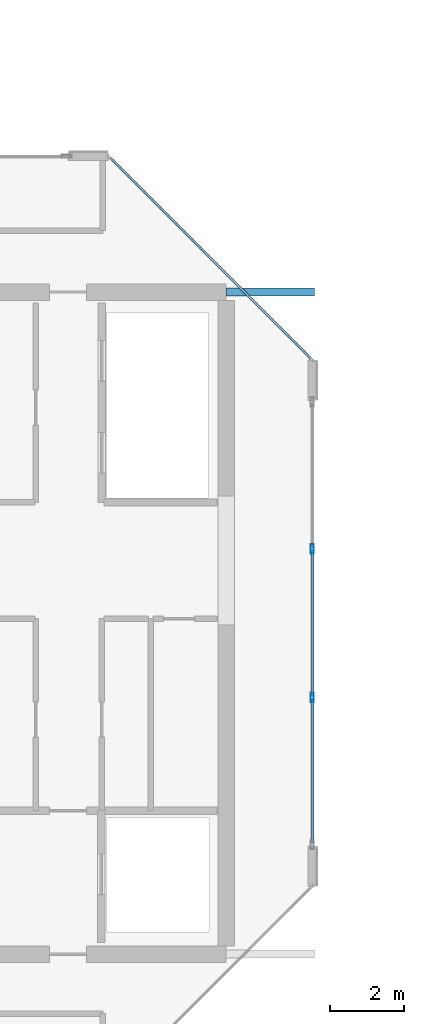
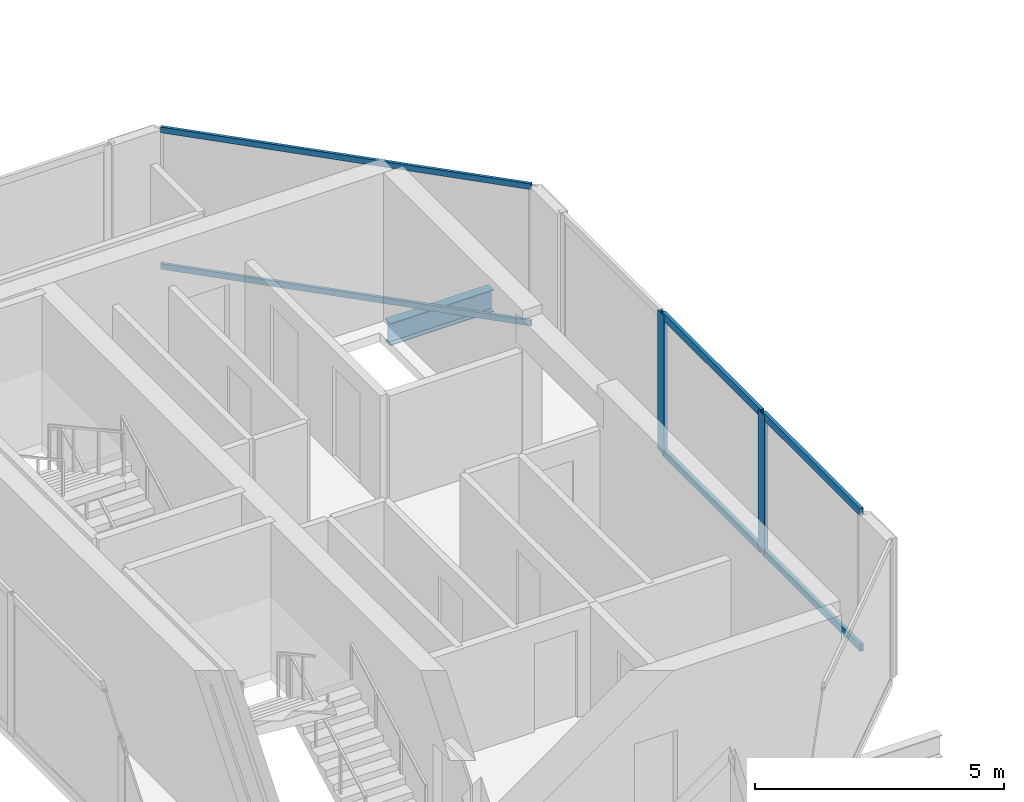
# One storey, part 6 of 30: 8 members, 1 beam, 2 elements without a shape of their own.
"""IFC4 building model written with IfcOpenShell, lengths in metres."""

from ifc_helpers import new_model, si_unit, direction, frame, origin, origin_2d, place, context, subcontext, project, spatial, hollow_rectangle, i_section, extrude, material, layer, layer_set, material_profile, profile_set, type_object, element, aggregate, save


model = new_model("IFC4")

# Units and contexts
model_context = context("Model", 3, precision=1e-05, world=origin(), true_north=direction((0.0, 1.0)))
body_context = subcontext(model_context, "Body", "Model", "MODEL_VIEW")
ifc_project = project(units=[si_unit("LENGTHUNIT", "METRE"), si_unit("AREAUNIT", "SQUARE_METRE"), si_unit("VOLUMEUNIT", "CUBIC_METRE"), si_unit("PLANEANGLEUNIT", "RADIAN"), si_unit("MASSUNIT", "GRAM", prefix="KILO")], contexts=[model_context])

# Site, building, storey
site_placement = place(None, origin())
site = spatial("IfcSite", under=ifc_project, at=site_placement, CompositionType="ELEMENT")
building_placement = place(site_placement, origin())
building = spatial("IfcBuilding", under=site, at=building_placement, Name="Tanjung Sevakor Pilgrim Tower", CompositionType="ELEMENT")
storey_placement = place(building_placement, frame((0.0, 0.0, 253.43994140625)))
storey = spatial("IfcBuildingStorey", under=building, at=storey_placement, Name="L71", CompositionType="ELEMENT", Elevation=253.43994140625)

# Beam
ifc_material_1 = material(Name="Steel S355J2", Category="steel")
ifc_material_profile_1 = material_profile(ifc_material_1, i_section(OverallWidth=0.2119140625, OverallDepth=0.54443359375, WebThickness=0.0126953125, FlangeThickness=0.021240234375, FilletRadius=0.0126953125, at=origin_2d()))
ifc_profile_set_1 = profile_set([ifc_material_profile_1], Name="Steel S355J2")
beam_type = type_object("IfcBeamType", Name="BM-B-G5-UB_533x210x122", PredefinedType="BEAM", material=ifc_profile_set_1)
beam_placement = place(storey_placement, frame((36.0, 42.60009765625, -0.4921875), z_axis=(1.0, 0.0, 0.0), x_axis=(0.0, 1.0, 0.0)))
element("IfcBeam", 1, at=beam_placement, inside=storey, type_object=beam_type, Name="L71 West Peak Cantilever Girder 2", PredefinedType="BEAM", context=body_context, shape_type="SweptSolid", body=[
    extrude(i_section(OverallWidth=0.2119140625, OverallDepth=0.54443359375, WebThickness=0.0126953125, FlangeThickness=0.021240234375, FilletRadius=0.0126953125, at=origin_2d()), origin(), (0.0, 0.0, 1.0), 2.39990234375),
])

# Curtain wall, members
ifc_material_2 = material(Name="Aluminium 6063-T6 and Low-E Glass", Category="aluminium")
ifc_layer_1 = layer(ifc_material_2, 0.199951171875)
ifc_layer_set_1 = layer_set([ifc_layer_1], Name="CW-SYS-CRNW")
curtain_wall_type_1 = type_object("IfcCurtainWallType", Name="CW-SYS-CRNW", PredefinedType="NOTDEFINED", material=ifc_layer_set_1)
curtain_wall_1_placement = place(storey_placement, origin())
curtain_wall_1 = element("IfcCurtainWall", 2, at=curtain_wall_1_placement, inside=storey, type_object=curtain_wall_type_1, Name="L71 Curtain Wall CW-CRN-L71-WEST-2-1", PredefinedType="NOTDEFINED")
ifc_material_3 = material(Name="Aluminium 6063-T6", Category="aluminium")
ifc_material_profile_2 = material_profile(ifc_material_3, hollow_rectangle(XDim=0.080078125, YDim=0.260009765625, WallThickness=0.0048828125, at=origin_2d()))
ifc_profile_set_2 = profile_set([ifc_material_profile_2], Name="Aluminium 6063-T6")
member_type_1 = type_object("IfcMemberType", Name="TYPE-CWM-3", PredefinedType="MULLION", material=ifc_profile_set_2)
member_1_placement = place(storey_placement, frame((38.340087890625, 31.581787109375, 0.0), z_axis=(0.0, 0.0, 1.0), x_axis=(-1.0, 0.0, 0.0)))
member_1 = element("IfcMember", 3, at=member_1_placement, type_object=member_type_1, Name="CW-CRW mullion 2", PredefinedType="MULLION", context=body_context, shape_type="SweptSolid", body=[
    extrude(hollow_rectangle(XDim=0.080078125, YDim=0.260009765625, WallThickness=0.0048828125, at=origin_2d()), origin(), (0.0, 0.0, 1.0), 3.41015625),
])
member_2_placement = place(storey_placement, frame((38.340087890625, 35.6181640625, 0.0), z_axis=(0.0, 0.0, 1.0), x_axis=(-1.0, 0.0, 0.0)))
member_2 = element("IfcMember", 4, at=member_2_placement, type_object=member_type_1, Name="CW-CRW mullion 3", PredefinedType="MULLION", context=body_context, shape_type="SweptSolid", body=[
    extrude(hollow_rectangle(XDim=0.080078125, YDim=0.260009765625, WallThickness=0.0048828125, at=origin_2d()), origin(), (0.0, 0.0, 1.0), 3.41015625),
])

ifc_material_4 = material(Name="Aluminium 6063-T6 and Low-E Glass", Category="aluminium")
ifc_layer_2 = layer(ifc_material_4, 0.179931640625)
ifc_layer_set_2 = layer_set([ifc_layer_2], Name="CW-SYS-CHAM")
curtain_wall_type_2 = type_object("IfcCurtainWallType", Name="CW-SYS-CHAM", PredefinedType="NOTDEFINED", material=ifc_layer_set_2)
curtain_wall_2_placement = place(storey_placement, origin())
curtain_wall_2 = element("IfcCurtainWall", 5, at=curtain_wall_2_placement, inside=storey, type_object=curtain_wall_type_2, Name="L71 Curtain Wall CW-CHM-L71-WEST-3", PredefinedType="NOTDEFINED")
ifc_material_5 = material(Name="Aluminium 6063-T6", Category="aluminium")
ifc_material_profile_3 = material_profile(ifc_material_5, hollow_rectangle(XDim=0.06494140625, YDim=0.139892578125, WallThickness=0.00390625, at=origin_2d()))
ifc_profile_set_3 = profile_set([ifc_material_profile_3], Name="Aluminium 6063-T6")
member_type_2 = type_object("IfcMemberType", Name="TYPE-CWT-1", PredefinedType="USERDEFINED", material=ifc_profile_set_3)
member_3_placement = place(storey_placement, frame((38.2939453125, 40.80029296875, 0.032470703125), z_axis=(-0.707090924819, 0.707122637198, 0.0), x_axis=(-0.707122637198, -0.707090924819, 0.0)))
member_3 = element("IfcMember", 6, at=member_3_placement, type_object=member_type_2, Name="CW-CHM transom 1.1", ObjectType="TRANSOM", PredefinedType="USERDEFINED", context=body_context, shape_type="SweptSolid", body=[
    extrude(hollow_rectangle(XDim=0.06494140625, YDim=0.139892578125, WallThickness=0.00390625, at=origin_2d()), origin(), (0.0, 0.0, 1.0), 7.698486328125),
])
member_4_placement = place(storey_placement, frame((38.2939453125, 40.80029296875, 3.37744140625), z_axis=(-0.707090924819, 0.707122637198, 0.0), x_axis=(-0.707122637198, -0.707090924819, 0.0)))
member_4 = element("IfcMember", 7, at=member_4_placement, type_object=member_type_2, Name="CW-CHM transom 1.2", ObjectType="TRANSOM", PredefinedType="USERDEFINED", context=body_context, shape_type="SweptSolid", body=[
    extrude(hollow_rectangle(XDim=0.06494140625, YDim=0.139892578125, WallThickness=0.00390625, at=origin_2d()), origin(), (0.0, 0.0, 1.0), 7.698486328125),
])
aggregate(curtain_wall_2, [member_3, member_4])

# Member
ifc_material_6 = material(Name="Aluminium 6063-T6", Category="aluminium")
ifc_material_profile_4 = material_profile(ifc_material_6, hollow_rectangle(XDim=0.080078125, YDim=0.179931640625, WallThickness=0.0048828125, at=origin_2d()))
ifc_profile_set_4 = profile_set([ifc_material_profile_4], Name="Aluminium 6063-T6")
member_type_3 = type_object("IfcMemberType", Name="TYPE-CWT-3", PredefinedType="USERDEFINED", material=ifc_profile_set_4)
member_5_placement = place(storey_placement, frame((38.340087890625, 27.62548828125, 0.0400390625), z_axis=(0.0, 1.0, 0.0), x_axis=(-1.0, 0.0, 0.0)))
member_5 = element("IfcMember", 8, at=member_5_placement, type_object=member_type_3, Name="CW-CRW transom 1.1", ObjectType="TRANSOM", PredefinedType="USERDEFINED", context=body_context, shape_type="SweptSolid", body=[
    extrude(hollow_rectangle(XDim=0.080078125, YDim=0.179931640625, WallThickness=0.0048828125, at=origin_2d()), origin(), (0.0, 0.0, 1.0), 3.916259765625),
])

member_6_placement = place(storey_placement, frame((38.340087890625, 27.62548828125, 3.3701171875), z_axis=(0.0, 1.0, 0.0), x_axis=(-1.0, 0.0, 0.0)))
member_6 = element("IfcMember", 9, at=member_6_placement, type_object=member_type_3, Name="CW-CRW transom 1.2", ObjectType="TRANSOM", PredefinedType="USERDEFINED", context=body_context, shape_type="SweptSolid", body=[
    extrude(hollow_rectangle(XDim=0.080078125, YDim=0.179931640625, WallThickness=0.0048828125, at=origin_2d()), origin(), (0.0, 0.0, 1.0), 3.916259765625),
])

member_7_placement = place(storey_placement, frame((38.340087890625, 31.621826171875, 0.0400390625), z_axis=(0.0, 1.0, 0.0), x_axis=(-1.0, 0.0, 0.0)))
member_7 = element("IfcMember", 10, at=member_7_placement, type_object=member_type_3, Name="CW-CRW transom 2.1", ObjectType="TRANSOM", PredefinedType="USERDEFINED", context=body_context, shape_type="SweptSolid", body=[
    extrude(hollow_rectangle(XDim=0.080078125, YDim=0.179931640625, WallThickness=0.0048828125, at=origin_2d()), origin(), (0.0, 0.0, 1.0), 3.956298828125),
])

member_8_placement = place(storey_placement, frame((38.340087890625, 31.621826171875, 3.3701171875), z_axis=(0.0, 1.0, 0.0), x_axis=(-1.0, 0.0, 0.0)))
member_8 = element("IfcMember", 11, at=member_8_placement, type_object=member_type_3, Name="CW-CRW transom 2.2", ObjectType="TRANSOM", PredefinedType="USERDEFINED", context=body_context, shape_type="SweptSolid", body=[
    extrude(hollow_rectangle(XDim=0.080078125, YDim=0.179931640625, WallThickness=0.0048828125, at=origin_2d()), origin(), (0.0, 0.0, 1.0), 3.956298828125),
])

aggregate(curtain_wall_1, [member_1, member_2, member_5, member_6, member_7, member_8])

save(model, "model.ifc")
